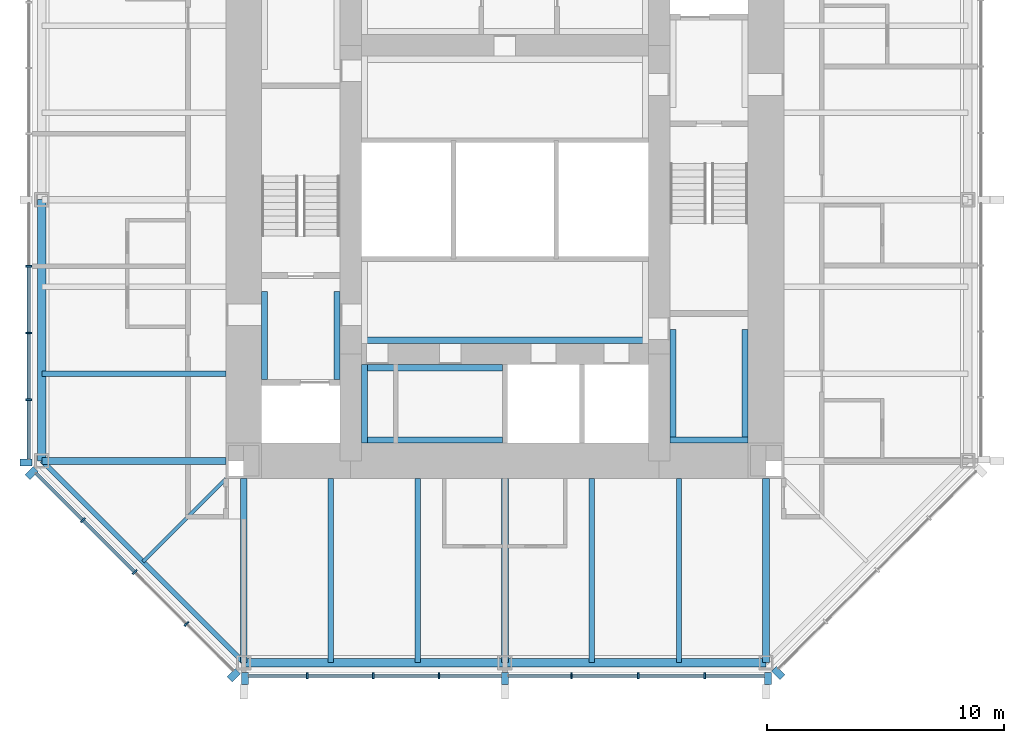
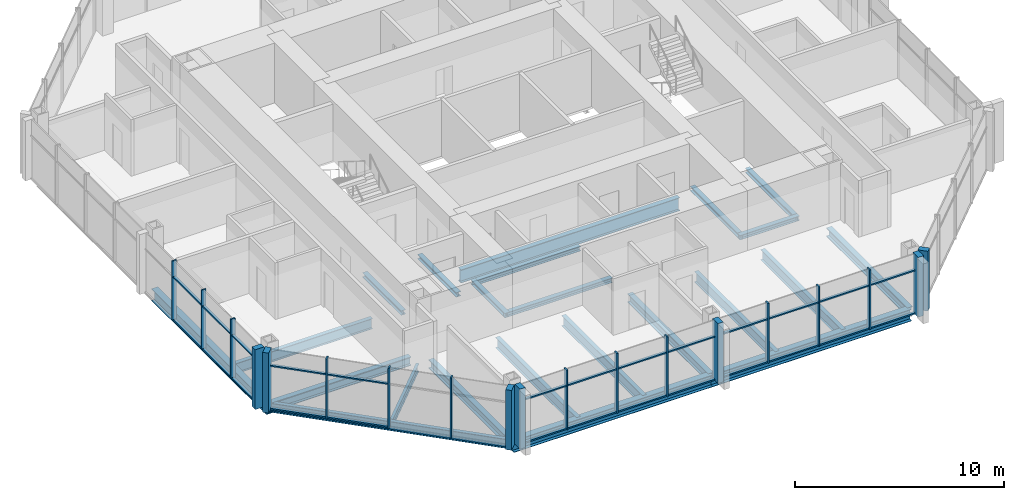
# One storey, part 2 of 11: 45 members, 23 beams, 4 elements without a shape of their own.
"""IFC4 building model written with IfcOpenShell, lengths in metres."""

from ifc_helpers import new_model, si_unit, direction, frame, origin, origin_2d, place, context, subcontext, project, spatial, rectangle, i_section, extrude, material, material_profile, profile_set, type_object, element, aggregate, save


model = new_model("IFC4")

# Units and contexts
model_context = context("Model", 3, precision=1e-05, world=origin(), true_north=direction((0.0, 1.0)))
body_context = subcontext(model_context, "Body", "Model", "MODEL_VIEW")
ifc_project = project(units=[si_unit("LENGTHUNIT", "METRE"), si_unit("AREAUNIT", "SQUARE_METRE"), si_unit("VOLUMEUNIT", "CUBIC_METRE"), si_unit("PLANEANGLEUNIT", "RADIAN"), si_unit("MASSUNIT", "GRAM", prefix="KILO")], contexts=[model_context])

# Site, building, storey
site_placement = place(None, origin())
site = spatial("IfcSite", under=ifc_project, at=site_placement, CompositionType="ELEMENT")
building_placement = place(site_placement, origin())
building = spatial("IfcBuilding", under=site, at=building_placement, Name="Trevanion Tower", CompositionType="ELEMENT")
storey_placement = place(building_placement, frame((0.0, 0.0, 232.699951171875)))
storey = spatial("IfcBuildingStorey", under=building, at=storey_placement, Name="L56", CompositionType="ELEMENT", Elevation=232.699951171875)

# Beams
ifc_material_1 = material(Name="Steel ASTM A992 Grade 50", Category="steel")
ifc_material_profile_1 = material_profile(ifc_material_1, i_section(OverallWidth=0.228271484375, OverallDepth=0.607177734375, WebThickness=0.01123046875, FlangeThickness=0.017333984375, at=origin_2d()), Name="W24X76")
ifc_profile_set_1 = profile_set([ifc_material_profile_1], Name="Steel ASTM A992 Grade 50")
beam_type_1 = type_object("IfcBeamType", Name="B11 W24X76", PredefinedType="BEAM", material=ifc_profile_set_1)
for number, where, z_axis, x_axis, name in (
    (1, (-11.75, -7.333251953125, -0.493408203125), (-1.0, 0.0, 0.0), (0.0, -1.0, 0.0), "B11 L56"),
    (2, (-7.333251953125, -11.75, -0.493408203125), (0.0, -1.0, 0.0), (1.0, 0.0, 0.0), "B11 L56"),
    (3, (-3.666748046875, -11.75, -0.493408203125), (0.0, -1.0, 0.0), (1.0, 0.0, 0.0), "B11 L56"),
    (4, (3.666748046875, -11.75, -0.493408203125), (0.0, -1.0, 0.0), (1.0, 0.0, 0.0), "B11 L56"),
    (5, (7.333251953125, -11.75, -0.493408203125), (0.0, -1.0, 0.0), (1.0, 0.0, 0.0), "B11 L56"),
):
    element("IfcBeam", number, at=place(storey_placement, frame(where, z_axis=z_axis, x_axis=x_axis)), inside=storey, type_object=beam_type_1, Name=name, PredefinedType="BEAM", context=body_context, shape_type="SweptSolid", body=[
        extrude(i_section(OverallWidth=0.228271484375, OverallDepth=0.607177734375, WebThickness=0.01123046875, FlangeThickness=0.017333984375, at=origin_2d()), origin(), (0.0, 0.0, 1.0), 7.75),
    ])
ifc_material_2 = material(Name="Steel ASTM A992 Grade 50", Category="steel")
ifc_material_profile_2 = material_profile(ifc_material_2, i_section(OverallWidth=0.15234375, OverallDepth=0.449462890625, WebThickness=0.007568359375, FlangeThickness=0.0107421875, at=origin_2d()), Name="W18X35")
ifc_profile_set_2 = profile_set([ifc_material_profile_2], Name="Steel ASTM A992 Grade 50")
beam_type_2 = type_object("IfcBeamType", Name="B12 W18X35", PredefinedType="BEAM", material=ifc_profile_set_2)
beam_1_placement = place(storey_placement, frame((-11.75, -11.75, -0.414794921875), z_axis=(-0.707106781187, -0.707106781187, 0.0), x_axis=(0.707106781187, -0.707106781187, 0.0)))
element("IfcBeam", 6, at=beam_1_placement, inside=storey, type_object=beam_type_2, Name="B12 L56", PredefinedType="BEAM", context=body_context, shape_type="SweptSolid", body=[
    extrude(i_section(OverallWidth=0.15234375, OverallDepth=0.449462890625, WebThickness=0.007568359375, FlangeThickness=0.0107421875, at=origin_2d()), origin(), (0.0, 0.0, 1.0), 4.94970703125),
])

# Curtain wall, members
ifc_material_3 = material(Name="Aluminium and glass", Category="aluminium")
curtain_wall_type = type_object("IfcCurtainWallType", Name="CW3 curtain wall", PredefinedType="USERDEFINED", material=ifc_material_3)
curtain_wall_1_placement = place(storey_placement, origin())
curtain_wall_1 = element("IfcCurtainWall", 7, at=curtain_wall_1_placement, inside=storey, type_object=curtain_wall_type, Name="CW3 L56 4", ObjectType="UNITISED CURTAIN WALL", PredefinedType="USERDEFINED")
ifc_material_4 = material(Name="Aluminium extrusion, anodised bronze", Category="aluminium")
ifc_material_profile_3 = material_profile(ifc_material_4, rectangle(XDim=0.074951171875, YDim=0.25, at=origin_2d()), Name="CW3 mullion")
ifc_profile_set_3 = profile_set([ifc_material_profile_3], Name="Aluminium extrusion, anodised bronze")
member_type_1 = type_object("IfcMemberType", Name="CW3 mullion", PredefinedType="MULLION", material=ifc_profile_set_3)
member_1_placement = place(storey_placement, frame((-20.050048828125, -2.806884765625, -0.18994140625), z_axis=(0.0, 0.0, 1.0), x_axis=(0.0, -1.0, 0.0)))
member_1 = element("IfcMember", 8, at=member_1_placement, type_object=member_type_1, Name="CW3 mullion 6", PredefinedType="MULLION", context=body_context, shape_type="SweptSolid", body=[
    extrude(rectangle(XDim=0.074951171875, YDim=0.25, at=origin_2d()), origin(), (0.0, 0.0, 1.0), 3.5),
])
member_2_placement = place(storey_placement, frame((-20.050048828125, -5.614013671875, -0.18994140625), z_axis=(0.0, 0.0, 1.0), x_axis=(0.0, -1.0, 0.0)))
member_2 = element("IfcMember", 9, at=member_2_placement, type_object=member_type_1, Name="CW3 mullion 7", PredefinedType="MULLION", context=body_context, shape_type="SweptSolid", body=[
    extrude(rectangle(XDim=0.074951171875, YDim=0.25, at=origin_2d()), origin(), (0.0, 0.0, 1.0), 3.5),
])
member_3_placement = place(storey_placement, frame((-20.050048828125, -8.4208984375, -0.18994140625), z_axis=(0.0, 0.0, 1.0), x_axis=(0.0, -1.0, 0.0)))
member_3 = element("IfcMember", 10, at=member_3_placement, type_object=member_type_1, Name="CW3 mullion 8", PredefinedType="MULLION", context=body_context, shape_type="SweptSolid", body=[
    extrude(rectangle(XDim=0.074951171875, YDim=0.25, at=origin_2d()), origin(), (0.0, 0.0, 1.0), 3.5),
])

curtain_wall_2_placement = place(storey_placement, origin())
curtain_wall_2 = element("IfcCurtainWall", 11, at=curtain_wall_2_placement, inside=storey, type_object=curtain_wall_type, Name="CW3 L56 5", ObjectType="UNITISED CURTAIN WALL", PredefinedType="USERDEFINED")
member_4_placement = place(storey_placement, frame((-17.775390625, -13.502197265625, -0.18994140625), z_axis=(0.0, 0.0, 1.0), x_axis=(0.707106781187, -0.707106781187, 0.0)))
member_4 = element("IfcMember", 12, at=member_4_placement, type_object=member_type_1, Name="CW3 mullion 2", PredefinedType="MULLION", context=body_context, shape_type="SweptSolid", body=[
    extrude(rectangle(XDim=0.074951171875, YDim=0.25, at=origin_2d()), origin(), (0.0, 0.0, 1.0), 3.5),
])
member_5_placement = place(storey_placement, frame((-15.593017578125, -15.684814453125, -0.18994140625), z_axis=(0.0, 0.0, 1.0), x_axis=(0.707106781187, -0.707106781187, 0.0)))
member_5 = element("IfcMember", 13, at=member_5_placement, type_object=member_type_1, Name="CW3 mullion 3", PredefinedType="MULLION", context=body_context, shape_type="SweptSolid", body=[
    extrude(rectangle(XDim=0.074951171875, YDim=0.25, at=origin_2d()), origin(), (0.0, 0.0, 1.0), 3.5),
])
member_6_placement = place(storey_placement, frame((-13.410400390625, -17.867431640625, -0.18994140625), z_axis=(0.0, 0.0, 1.0), x_axis=(0.707106781187, -0.707106781187, 0.0)))
member_6 = element("IfcMember", 14, at=member_6_placement, type_object=member_type_1, Name="CW3 mullion 4", PredefinedType="MULLION", context=body_context, shape_type="SweptSolid", body=[
    extrude(rectangle(XDim=0.074951171875, YDim=0.25, at=origin_2d()), origin(), (0.0, 0.0, 1.0), 3.5),
])

curtain_wall_3_placement = place(storey_placement, origin())
curtain_wall_3 = element("IfcCurtainWall", 15, at=curtain_wall_3_placement, inside=storey, type_object=curtain_wall_type, Name="CW3 L56 6", ObjectType="UNITISED CURTAIN WALL", PredefinedType="USERDEFINED")
member_7_placement = place(storey_placement, frame((-8.323486328125, -20.050048828125, -0.18994140625), z_axis=(0.0, 0.0, 1.0), x_axis=(1.0, 0.0, 0.0)))
member_7 = element("IfcMember", 16, at=member_7_placement, type_object=member_type_1, Name="CW3 mullion 2", PredefinedType="MULLION", context=body_context, shape_type="SweptSolid", body=[
    extrude(rectangle(XDim=0.074951171875, YDim=0.25, at=origin_2d()), origin(), (0.0, 0.0, 1.0), 3.5),
])
member_8_placement = place(storey_placement, frame((-5.548828125, -20.050048828125, -0.18994140625), z_axis=(0.0, 0.0, 1.0), x_axis=(1.0, 0.0, 0.0)))
member_8 = element("IfcMember", 17, at=member_8_placement, type_object=member_type_1, Name="CW3 mullion 3", PredefinedType="MULLION", context=body_context, shape_type="SweptSolid", body=[
    extrude(rectangle(XDim=0.074951171875, YDim=0.25, at=origin_2d()), origin(), (0.0, 0.0, 1.0), 3.5),
])
member_9_placement = place(storey_placement, frame((-2.7744140625, -20.050048828125, -0.18994140625), z_axis=(0.0, 0.0, 1.0), x_axis=(1.0, 0.0, 0.0)))
member_9 = element("IfcMember", 18, at=member_9_placement, type_object=member_type_1, Name="CW3 mullion 4", PredefinedType="MULLION", context=body_context, shape_type="SweptSolid", body=[
    extrude(rectangle(XDim=0.074951171875, YDim=0.25, at=origin_2d()), origin(), (0.0, 0.0, 1.0), 3.5),
])
member_10_placement = place(storey_placement, frame((2.806884765625, -20.050048828125, -0.18994140625), z_axis=(0.0, 0.0, 1.0), x_axis=(1.0, 0.0, 0.0)))
member_10 = element("IfcMember", 19, at=member_10_placement, type_object=member_type_1, Name="CW3 mullion 6", PredefinedType="MULLION", context=body_context, shape_type="SweptSolid", body=[
    extrude(rectangle(XDim=0.074951171875, YDim=0.25, at=origin_2d()), origin(), (0.0, 0.0, 1.0), 3.5),
])
member_11_placement = place(storey_placement, frame((5.614013671875, -20.050048828125, -0.18994140625), z_axis=(0.0, 0.0, 1.0), x_axis=(1.0, 0.0, 0.0)))
member_11 = element("IfcMember", 20, at=member_11_placement, type_object=member_type_1, Name="CW3 mullion 7", PredefinedType="MULLION", context=body_context, shape_type="SweptSolid", body=[
    extrude(rectangle(XDim=0.074951171875, YDim=0.25, at=origin_2d()), origin(), (0.0, 0.0, 1.0), 3.5),
])
member_12_placement = place(storey_placement, frame((8.4208984375, -20.050048828125, -0.18994140625), z_axis=(0.0, 0.0, 1.0), x_axis=(1.0, 0.0, 0.0)))
member_12 = element("IfcMember", 21, at=member_12_placement, type_object=member_type_1, Name="CW3 mullion 8", PredefinedType="MULLION", context=body_context, shape_type="SweptSolid", body=[
    extrude(rectangle(XDim=0.074951171875, YDim=0.25, at=origin_2d()), origin(), (0.0, 0.0, 1.0), 3.5),
])

# Member
ifc_material_5 = material(Name="Aluminium extrusion, anodised bronze", Category="aluminium")
ifc_material_profile_4 = material_profile(ifc_material_5, rectangle(XDim=0.300048828125, YDim=0.5, at=origin_2d()), Name="CW3 pier mullion")
ifc_profile_set_4 = profile_set([ifc_material_profile_4], Name="Aluminium extrusion, anodised bronze")
member_type_2 = type_object("IfcMemberType", Name="CW3 pier mullion", PredefinedType="MULLION", material=ifc_profile_set_4)
member_13_placement = place(storey_placement, frame((-20.175048828125, -11.077880859375, -0.18994140625), z_axis=(0.0, 0.0, 1.0), x_axis=(0.0, -1.0, 0.0)))
member_13 = element("IfcMember", 22, at=member_13_placement, type_object=member_type_2, Name="CW3 pier mullion 9", PredefinedType="MULLION", context=body_context, shape_type="SweptSolid", body=[
    extrude(rectangle(XDim=0.300048828125, YDim=0.5, at=origin_2d()), origin(), (0.0, 0.0, 1.0), 3.5),
])

member_14_placement = place(storey_placement, frame((-19.9404296875, -11.51416015625, -0.18994140625), z_axis=(0.0, 0.0, 1.0), x_axis=(0.707106781187, -0.707106781187, 0.0)))
member_14 = element("IfcMember", 23, at=member_14_placement, type_object=member_type_2, Name="CW3 pier mullion 1", PredefinedType="MULLION", context=body_context, shape_type="SweptSolid", body=[
    extrude(rectangle(XDim=0.300048828125, YDim=0.5, at=origin_2d()), origin(), (0.0, 0.0, 1.0), 3.5),
])

member_15_placement = place(storey_placement, frame((-11.42236328125, -20.0322265625, -0.18994140625), z_axis=(0.0, 0.0, 1.0), x_axis=(0.707106781187, -0.707106781187, 0.0)))
member_15 = element("IfcMember", 24, at=member_15_placement, type_object=member_type_2, Name="CW3 pier mullion 5", PredefinedType="MULLION", context=body_context, shape_type="SweptSolid", body=[
    extrude(rectangle(XDim=0.300048828125, YDim=0.5, at=origin_2d()), origin(), (0.0, 0.0, 1.0), 3.5),
])

member_16_placement = place(storey_placement, frame((-10.94775390625, -20.175048828125, -0.18994140625), z_axis=(0.0, 0.0, 1.0), x_axis=(1.0, 0.0, 0.0)))
member_16 = element("IfcMember", 25, at=member_16_placement, type_object=member_type_2, Name="CW3 pier mullion 1", PredefinedType="MULLION", context=body_context, shape_type="SweptSolid", body=[
    extrude(rectangle(XDim=0.300048828125, YDim=0.5, at=origin_2d()), origin(), (0.0, 0.0, 1.0), 3.5),
])

member_17_placement = place(storey_placement, frame((0.0, -20.175048828125, -0.18994140625), z_axis=(0.0, 0.0, 1.0), x_axis=(1.0, 0.0, 0.0)))
member_17 = element("IfcMember", 26, at=member_17_placement, type_object=member_type_2, Name="CW3 pier mullion 5", PredefinedType="MULLION", context=body_context, shape_type="SweptSolid", body=[
    extrude(rectangle(XDim=0.300048828125, YDim=0.5, at=origin_2d()), origin(), (0.0, 0.0, 1.0), 3.5),
])

member_18_placement = place(storey_placement, frame((11.077880859375, -20.175048828125, -0.18994140625), z_axis=(0.0, 0.0, 1.0), x_axis=(1.0, 0.0, 0.0)))
member_18 = element("IfcMember", 27, at=member_18_placement, type_object=member_type_2, Name="CW3 pier mullion 9", PredefinedType="MULLION", context=body_context, shape_type="SweptSolid", body=[
    extrude(rectangle(XDim=0.300048828125, YDim=0.5, at=origin_2d()), origin(), (0.0, 0.0, 1.0), 3.5),
])

# Curtain wall, member
curtain_wall_4_placement = place(storey_placement, origin())
curtain_wall_4 = element("IfcCurtainWall", 28, at=curtain_wall_4_placement, inside=storey, type_object=curtain_wall_type, Name="CW3 L56 7", ObjectType="UNITISED CURTAIN WALL", PredefinedType="USERDEFINED")
member_19_placement = place(storey_placement, frame((11.51416015625, -19.9404296875, -0.18994140625), z_axis=(0.0, 0.0, 1.0), x_axis=(0.707106781187, 0.707106781187, 0.0)))
member_19 = element("IfcMember", 29, at=member_19_placement, type_object=member_type_2, Name="CW3 pier mullion 1", PredefinedType="MULLION", context=body_context, shape_type="SweptSolid", body=[
    extrude(rectangle(XDim=0.300048828125, YDim=0.5, at=origin_2d()), origin(), (0.0, 0.0, 1.0), 3.5),
])
aggregate(curtain_wall_4, [member_19])

# Member
ifc_material_6 = material(Name="Aluminium extrusion, anodised bronze", Category="aluminium")
ifc_material_profile_5 = material_profile(ifc_material_6, rectangle(XDim=0.14990234375, YDim=0.074951171875, at=origin_2d()), Name="CW3 transom")
ifc_profile_set_5 = profile_set([ifc_material_profile_5], Name="Aluminium extrusion, anodised bronze")
member_type_3 = type_object("IfcMemberType", Name="CW3 transom", PredefinedType="USERDEFINED", material=ifc_profile_set_5)
member_20_placement = place(storey_placement, frame((-20.050048828125, -2.844482421875, -0.15234375), z_axis=(0.0, -1.0, 0.0), x_axis=(1.0, 0.0, 0.0)))
member_20 = element("IfcMember", 30, at=member_20_placement, type_object=member_type_3, Name="CW3 transom 6.1", ObjectType="TRANSOM", PredefinedType="USERDEFINED", context=body_context, shape_type="SweptSolid", body=[
    extrude(rectangle(XDim=0.14990234375, YDim=0.074951171875, at=origin_2d()), origin(), (0.0, 0.0, 1.0), 2.73193359375),
])

member_21_placement = place(storey_placement, frame((-20.050048828125, -2.844482421875, 2.360107421875), z_axis=(0.0, -1.0, 0.0), x_axis=(1.0, 0.0, 0.0)))
member_21 = element("IfcMember", 31, at=member_21_placement, type_object=member_type_3, Name="CW3 transom 6.2", ObjectType="TRANSOM", PredefinedType="USERDEFINED", context=body_context, shape_type="SweptSolid", body=[
    extrude(rectangle(XDim=0.14990234375, YDim=0.074951171875, at=origin_2d()), origin(), (0.0, 0.0, 1.0), 2.73193359375),
])

member_22_placement = place(storey_placement, frame((-20.050048828125, -5.6513671875, -0.15234375), z_axis=(0.0, -1.0, 0.0), x_axis=(1.0, 0.0, 0.0)))
member_22 = element("IfcMember", 32, at=member_22_placement, type_object=member_type_3, Name="CW3 transom 7.1", ObjectType="TRANSOM", PredefinedType="USERDEFINED", context=body_context, shape_type="SweptSolid", body=[
    extrude(rectangle(XDim=0.14990234375, YDim=0.074951171875, at=origin_2d()), origin(), (0.0, 0.0, 1.0), 2.73193359375),
])

member_23_placement = place(storey_placement, frame((-20.050048828125, -5.6513671875, 2.360107421875), z_axis=(0.0, -1.0, 0.0), x_axis=(1.0, 0.0, 0.0)))
member_23 = element("IfcMember", 33, at=member_23_placement, type_object=member_type_3, Name="CW3 transom 7.2", ObjectType="TRANSOM", PredefinedType="USERDEFINED", context=body_context, shape_type="SweptSolid", body=[
    extrude(rectangle(XDim=0.14990234375, YDim=0.074951171875, at=origin_2d()), origin(), (0.0, 0.0, 1.0), 2.73193359375),
])

member_24_placement = place(storey_placement, frame((-20.050048828125, -8.45849609375, -0.15234375), z_axis=(0.0, -1.0, 0.0), x_axis=(1.0, 0.0, 0.0)))
member_24 = element("IfcMember", 34, at=member_24_placement, type_object=member_type_3, Name="CW3 transom 8.1", ObjectType="TRANSOM", PredefinedType="USERDEFINED", context=body_context, shape_type="SweptSolid", body=[
    extrude(rectangle(XDim=0.14990234375, YDim=0.074951171875, at=origin_2d()), origin(), (0.0, 0.0, 1.0), 2.46923828125),
])

member_25_placement = place(storey_placement, frame((-20.050048828125, -8.45849609375, 2.360107421875), z_axis=(0.0, -1.0, 0.0), x_axis=(1.0, 0.0, 0.0)))
member_25 = element("IfcMember", 35, at=member_25_placement, type_object=member_type_3, Name="CW3 transom 8.2", ObjectType="TRANSOM", PredefinedType="USERDEFINED", context=body_context, shape_type="SweptSolid", body=[
    extrude(rectangle(XDim=0.14990234375, YDim=0.074951171875, at=origin_2d()), origin(), (0.0, 0.0, 1.0), 2.46923828125),
])

aggregate(curtain_wall_1, [member_1, member_2, member_3, member_13, member_20, member_21, member_22, member_23, member_24, member_25])

member_26_placement = place(storey_placement, frame((-19.745849609375, -11.531982421875, -0.15234375), z_axis=(0.707106781187, -0.707106781187, 0.0), x_axis=(0.707106781187, 0.707106781187, 0.0)))
member_26 = element("IfcMember", 36, at=member_26_placement, type_object=member_type_3, Name="CW3 transom 1.1", ObjectType="TRANSOM", PredefinedType="USERDEFINED", context=body_context, shape_type="SweptSolid", body=[
    extrude(rectangle(XDim=0.14990234375, YDim=0.074951171875, at=origin_2d()), origin(), (0.0, 0.0, 1.0), 2.7490234375),
])

member_27_placement = place(storey_placement, frame((-19.745849609375, -11.531982421875, 2.360107421875), z_axis=(0.707106781187, -0.707106781187, 0.0), x_axis=(0.707106781187, 0.707106781187, 0.0)))
member_27 = element("IfcMember", 37, at=member_27_placement, type_object=member_type_3, Name="CW3 transom 1.2", ObjectType="TRANSOM", PredefinedType="USERDEFINED", context=body_context, shape_type="SweptSolid", body=[
    extrude(rectangle(XDim=0.14990234375, YDim=0.074951171875, at=origin_2d()), origin(), (0.0, 0.0, 1.0), 2.7490234375),
])

member_28_placement = place(storey_placement, frame((-17.7490234375, -13.52880859375, -0.15234375), z_axis=(0.707106781187, -0.707106781187, 0.0), x_axis=(0.707106781187, 0.707106781187, 0.0)))
member_28 = element("IfcMember", 38, at=member_28_placement, type_object=member_type_3, Name="CW3 transom 2.1", ObjectType="TRANSOM", PredefinedType="USERDEFINED", context=body_context, shape_type="SweptSolid", body=[
    extrude(rectangle(XDim=0.14990234375, YDim=0.074951171875, at=origin_2d()), origin(), (0.0, 0.0, 1.0), 3.01171875),
])

member_29_placement = place(storey_placement, frame((-17.7490234375, -13.52880859375, 2.360107421875), z_axis=(0.707106781187, -0.707106781187, 0.0), x_axis=(0.707106781187, 0.707106781187, 0.0)))
member_29 = element("IfcMember", 39, at=member_29_placement, type_object=member_type_3, Name="CW3 transom 2.2", ObjectType="TRANSOM", PredefinedType="USERDEFINED", context=body_context, shape_type="SweptSolid", body=[
    extrude(rectangle(XDim=0.14990234375, YDim=0.074951171875, at=origin_2d()), origin(), (0.0, 0.0, 1.0), 3.01171875),
])

aggregate(curtain_wall_2, [member_14, member_4, member_5, member_6, member_15, member_26, member_27, member_28, member_29])

member_30_placement = place(storey_placement, frame((-10.7978515625, -20.050048828125, -0.15234375), z_axis=(1.0, 0.0, 0.0), x_axis=(0.0, 1.0, 0.0)))
member_30 = element("IfcMember", 40, at=member_30_placement, type_object=member_type_3, Name="CW3 transom 1.1", ObjectType="TRANSOM", PredefinedType="USERDEFINED", context=body_context, shape_type="SweptSolid", body=[
    extrude(rectangle(XDim=0.14990234375, YDim=0.074951171875, at=origin_2d()), origin(), (0.0, 0.0, 1.0), 2.43701171875),
])

member_31_placement = place(storey_placement, frame((-10.7978515625, -20.050048828125, 2.360107421875), z_axis=(1.0, 0.0, 0.0), x_axis=(0.0, 1.0, 0.0)))
member_31 = element("IfcMember", 41, at=member_31_placement, type_object=member_type_3, Name="CW3 transom 1.2", ObjectType="TRANSOM", PredefinedType="USERDEFINED", context=body_context, shape_type="SweptSolid", body=[
    extrude(rectangle(XDim=0.14990234375, YDim=0.074951171875, at=origin_2d()), origin(), (0.0, 0.0, 1.0), 2.43701171875),
])

member_32_placement = place(storey_placement, frame((-8.285888671875, -20.050048828125, -0.15234375), z_axis=(1.0, 0.0, 0.0), x_axis=(0.0, 1.0, 0.0)))
member_32 = element("IfcMember", 42, at=member_32_placement, type_object=member_type_3, Name="CW3 transom 2.1", ObjectType="TRANSOM", PredefinedType="USERDEFINED", context=body_context, shape_type="SweptSolid", body=[
    extrude(rectangle(XDim=0.14990234375, YDim=0.074951171875, at=origin_2d()), origin(), (0.0, 0.0, 1.0), 2.699462890625),
])

member_33_placement = place(storey_placement, frame((-8.285888671875, -20.050048828125, 2.360107421875), z_axis=(1.0, 0.0, 0.0), x_axis=(0.0, 1.0, 0.0)))
member_33 = element("IfcMember", 43, at=member_33_placement, type_object=member_type_3, Name="CW3 transom 2.2", ObjectType="TRANSOM", PredefinedType="USERDEFINED", context=body_context, shape_type="SweptSolid", body=[
    extrude(rectangle(XDim=0.14990234375, YDim=0.074951171875, at=origin_2d()), origin(), (0.0, 0.0, 1.0), 2.699462890625),
])

member_34_placement = place(storey_placement, frame((-5.511474609375, -20.050048828125, -0.15234375), z_axis=(1.0, 0.0, 0.0), x_axis=(0.0, 1.0, 0.0)))
member_34 = element("IfcMember", 44, at=member_34_placement, type_object=member_type_3, Name="CW3 transom 3.1", ObjectType="TRANSOM", PredefinedType="USERDEFINED", context=body_context, shape_type="SweptSolid", body=[
    extrude(rectangle(XDim=0.14990234375, YDim=0.074951171875, at=origin_2d()), origin(), (0.0, 0.0, 1.0), 2.699462890625),
])

member_35_placement = place(storey_placement, frame((-5.511474609375, -20.050048828125, 2.360107421875), z_axis=(1.0, 0.0, 0.0), x_axis=(0.0, 1.0, 0.0)))
member_35 = element("IfcMember", 45, at=member_35_placement, type_object=member_type_3, Name="CW3 transom 3.2", ObjectType="TRANSOM", PredefinedType="USERDEFINED", context=body_context, shape_type="SweptSolid", body=[
    extrude(rectangle(XDim=0.14990234375, YDim=0.074951171875, at=origin_2d()), origin(), (0.0, 0.0, 1.0), 2.699462890625),
])

member_36_placement = place(storey_placement, frame((-2.737060546875, -20.050048828125, -0.15234375), z_axis=(1.0, 0.0, 0.0), x_axis=(0.0, 1.0, 0.0)))
member_36 = element("IfcMember", 46, at=member_36_placement, type_object=member_type_3, Name="CW3 transom 4.1", ObjectType="TRANSOM", PredefinedType="USERDEFINED", context=body_context, shape_type="SweptSolid", body=[
    extrude(rectangle(XDim=0.14990234375, YDim=0.074951171875, at=origin_2d()), origin(), (0.0, 0.0, 1.0), 2.587158203125),
])

member_37_placement = place(storey_placement, frame((-2.737060546875, -20.050048828125, 2.360107421875), z_axis=(1.0, 0.0, 0.0), x_axis=(0.0, 1.0, 0.0)))
member_37 = element("IfcMember", 47, at=member_37_placement, type_object=member_type_3, Name="CW3 transom 4.2", ObjectType="TRANSOM", PredefinedType="USERDEFINED", context=body_context, shape_type="SweptSolid", body=[
    extrude(rectangle(XDim=0.14990234375, YDim=0.074951171875, at=origin_2d()), origin(), (0.0, 0.0, 1.0), 2.587158203125),
])

member_38_placement = place(storey_placement, frame((0.14990234375, -20.050048828125, -0.15234375), z_axis=(1.0, 0.0, 0.0), x_axis=(0.0, 1.0, 0.0)))
member_38 = element("IfcMember", 48, at=member_38_placement, type_object=member_type_3, Name="CW3 transom 5.1", ObjectType="TRANSOM", PredefinedType="USERDEFINED", context=body_context, shape_type="SweptSolid", body=[
    extrude(rectangle(XDim=0.14990234375, YDim=0.074951171875, at=origin_2d()), origin(), (0.0, 0.0, 1.0), 2.619384765625),
])

member_39_placement = place(storey_placement, frame((0.14990234375, -20.050048828125, 2.360107421875), z_axis=(1.0, 0.0, 0.0), x_axis=(0.0, 1.0, 0.0)))
member_39 = element("IfcMember", 49, at=member_39_placement, type_object=member_type_3, Name="CW3 transom 5.2", ObjectType="TRANSOM", PredefinedType="USERDEFINED", context=body_context, shape_type="SweptSolid", body=[
    extrude(rectangle(XDim=0.14990234375, YDim=0.074951171875, at=origin_2d()), origin(), (0.0, 0.0, 1.0), 2.619384765625),
])

member_40_placement = place(storey_placement, frame((2.844482421875, -20.050048828125, -0.15234375), z_axis=(1.0, 0.0, 0.0), x_axis=(0.0, 1.0, 0.0)))
member_40 = element("IfcMember", 50, at=member_40_placement, type_object=member_type_3, Name="CW3 transom 6.1", ObjectType="TRANSOM", PredefinedType="USERDEFINED", context=body_context, shape_type="SweptSolid", body=[
    extrude(rectangle(XDim=0.14990234375, YDim=0.074951171875, at=origin_2d()), origin(), (0.0, 0.0, 1.0), 2.73193359375),
])

member_41_placement = place(storey_placement, frame((2.844482421875, -20.050048828125, 2.360107421875), z_axis=(1.0, 0.0, 0.0), x_axis=(0.0, 1.0, 0.0)))
member_41 = element("IfcMember", 51, at=member_41_placement, type_object=member_type_3, Name="CW3 transom 6.2", ObjectType="TRANSOM", PredefinedType="USERDEFINED", context=body_context, shape_type="SweptSolid", body=[
    extrude(rectangle(XDim=0.14990234375, YDim=0.074951171875, at=origin_2d()), origin(), (0.0, 0.0, 1.0), 2.73193359375),
])

member_42_placement = place(storey_placement, frame((5.6513671875, -20.050048828125, -0.15234375), z_axis=(1.0, 0.0, 0.0), x_axis=(0.0, 1.0, 0.0)))
member_42 = element("IfcMember", 52, at=member_42_placement, type_object=member_type_3, Name="CW3 transom 7.1", ObjectType="TRANSOM", PredefinedType="USERDEFINED", context=body_context, shape_type="SweptSolid", body=[
    extrude(rectangle(XDim=0.14990234375, YDim=0.074951171875, at=origin_2d()), origin(), (0.0, 0.0, 1.0), 2.73193359375),
])

member_43_placement = place(storey_placement, frame((5.6513671875, -20.050048828125, 2.360107421875), z_axis=(1.0, 0.0, 0.0), x_axis=(0.0, 1.0, 0.0)))
member_43 = element("IfcMember", 53, at=member_43_placement, type_object=member_type_3, Name="CW3 transom 7.2", ObjectType="TRANSOM", PredefinedType="USERDEFINED", context=body_context, shape_type="SweptSolid", body=[
    extrude(rectangle(XDim=0.14990234375, YDim=0.074951171875, at=origin_2d()), origin(), (0.0, 0.0, 1.0), 2.73193359375),
])

member_44_placement = place(storey_placement, frame((8.45849609375, -20.050048828125, -0.15234375), z_axis=(1.0, 0.0, 0.0), x_axis=(0.0, 1.0, 0.0)))
member_44 = element("IfcMember", 54, at=member_44_placement, type_object=member_type_3, Name="CW3 transom 8.1", ObjectType="TRANSOM", PredefinedType="USERDEFINED", context=body_context, shape_type="SweptSolid", body=[
    extrude(rectangle(XDim=0.14990234375, YDim=0.074951171875, at=origin_2d()), origin(), (0.0, 0.0, 1.0), 2.46923828125),
])

member_45_placement = place(storey_placement, frame((8.45849609375, -20.050048828125, 2.360107421875), z_axis=(1.0, 0.0, 0.0), x_axis=(0.0, 1.0, 0.0)))
member_45 = element("IfcMember", 55, at=member_45_placement, type_object=member_type_3, Name="CW3 transom 8.2", ObjectType="TRANSOM", PredefinedType="USERDEFINED", context=body_context, shape_type="SweptSolid", body=[
    extrude(rectangle(XDim=0.14990234375, YDim=0.074951171875, at=origin_2d()), origin(), (0.0, 0.0, 1.0), 2.46923828125),
])

aggregate(curtain_wall_3, [member_16, member_7, member_8, member_9, member_17, member_10, member_11, member_12, member_18, member_30, member_31, member_32, member_33, member_34, member_35, member_36, member_37, member_38, member_39, member_40, member_41, member_42, member_43, member_44, member_45])

# Beams
ifc_material_7 = material(Name="Steel ASTM A992 Grade 50", Category="steel")
ifc_material_profile_6 = material_profile(ifc_material_7, i_section(OverallWidth=0.28955078125, OverallDepth=0.508056640625, WebThickness=0.022705078125, FlangeThickness=0.040283203125, at=origin_2d()), Name="W18X175")
ifc_profile_set_6 = profile_set([ifc_material_profile_6], Name="Steel ASTM A992 Grade 50")
beam_type_3 = type_object("IfcBeamType", Name="G6 W18X175", PredefinedType="BEAM", material=ifc_profile_set_6)
for number, where, z_axis, x_axis, name in (
    (56, (-11.75, -11.0, -0.44384765625), (-1.0, 0.0, 0.0), (0.0, -1.0, 0.0), "G6 L56"),
    (57, (-11.0, -11.75, -0.44384765625), (0.0, -1.0, 0.0), (1.0, 0.0, 0.0), "G6 L56"),
    (58, (0.0, -11.75, -0.44384765625), (0.0, -1.0, 0.0), (1.0, 0.0, 0.0), "G6 L56"),
    (59, (11.0, -11.75, -0.44384765625), (0.0, -1.0, 0.0), (1.0, 0.0, 0.0), "G6 L56"),
):
    element("IfcBeam", number, at=place(storey_placement, frame(where, z_axis=z_axis, x_axis=x_axis)), inside=storey, type_object=beam_type_3, Name=name, PredefinedType="BEAM", context=body_context, shape_type="SweptSolid", body=[
        extrude(i_section(OverallWidth=0.28955078125, OverallDepth=0.508056640625, WebThickness=0.022705078125, FlangeThickness=0.040283203125, at=origin_2d()), origin(), (0.0, 0.0, 1.0), 7.75),
    ])
ifc_material_8 = material(Name="Steel ASTM A992 Grade 50", Category="steel")
ifc_material_profile_7 = material_profile(ifc_material_8, i_section(OverallWidth=0.256591796875, OverallDepth=0.26416015625, WebThickness=0.011962890625, FlangeThickness=0.01953125, at=origin_2d()), Name="W10X68")
ifc_profile_set_7 = profile_set([ifc_material_profile_7], Name="Steel ASTM A992 Grade 50")
beam_type_4 = type_object("IfcBeamType", Name="LB1 W10X68", PredefinedType="BEAM", material=ifc_profile_set_7)
for number, where, z_axis, x_axis, name in (
    (60, (-10.12158203125, -7.574951171875, -0.33203125), (0.0, 1.0, 0.0), (-1.0, 0.0, 0.0), "LB1 L56"),
    (61, (-7.078369140625, -7.574951171875, -0.33203125), (0.0, 1.0, 0.0), (-1.0, 0.0, 0.0), "LB1 L56"),
):
    element("IfcBeam", number, at=place(storey_placement, frame(where, z_axis=z_axis, x_axis=x_axis)), inside=storey, type_object=beam_type_4, Name=name, PredefinedType="BEAM", context=body_context, shape_type="SweptSolid", body=[
        extrude(i_section(OverallWidth=0.256591796875, OverallDepth=0.26416015625, WebThickness=0.011962890625, FlangeThickness=0.01953125, at=origin_2d()), origin(), (0.0, 0.0, 1.0), 3.699951171875),
    ])
for number, where, z_axis, x_axis, name in (
    (62, (7.078369140625, -10.25, -0.33203125), (0.0, 1.0, 0.0), (-1.0, 0.0, 0.0), "LB1 L56"),
    (63, (10.12158203125, -10.25, -0.33203125), (0.0, 1.0, 0.0), (-1.0, 0.0, 0.0), "LB1 L56"),
):
    element("IfcBeam", number, at=place(storey_placement, frame(where, z_axis=z_axis, x_axis=x_axis)), inside=storey, type_object=beam_type_4, Name=name, PredefinedType="BEAM", context=body_context, shape_type="SweptSolid", body=[
        extrude(i_section(OverallWidth=0.256591796875, OverallDepth=0.26416015625, WebThickness=0.011962890625, FlangeThickness=0.01953125, at=origin_2d()), origin(), (0.0, 0.0, 1.0), 4.77490234375),
    ])
for number, where, z_axis, x_axis, name in (
    (64, (6.949951171875, -10.12158203125, -0.33203125), (1.0, 0.0, 0.0), (0.0, 1.0, 0.0), "LB1 L56"),
    (65, (-5.921630859375, -10.25, -0.33203125), (0.0, 1.0, 0.0), (-1.0, 0.0, 0.0), "LB1 L56"),
):
    element("IfcBeam", number, at=place(storey_placement, frame(where, z_axis=z_axis, x_axis=x_axis)), inside=storey, type_object=beam_type_4, Name=name, PredefinedType="BEAM", context=body_context, shape_type="SweptSolid", body=[
        extrude(i_section(OverallWidth=0.256591796875, OverallDepth=0.26416015625, WebThickness=0.011962890625, FlangeThickness=0.01953125, at=origin_2d()), origin(), (0.0, 0.0, 1.0), 3.300048828125),
    ])
for number, where, z_axis, x_axis, name in (
    (66, (-6.050048828125, -10.12158203125, -0.33203125), (1.0, 0.0, 0.0), (0.0, 1.0, 0.0), "LB1 L56"),
    (67, (-6.050048828125, -7.078369140625, -0.33203125), (1.0, 0.0, 0.0), (0.0, 1.0, 0.0), "LB1 L56"),
):
    element("IfcBeam", number, at=place(storey_placement, frame(where, z_axis=z_axis, x_axis=x_axis)), inside=storey, type_object=beam_type_4, Name=name, PredefinedType="BEAM", context=body_context, shape_type="SweptSolid", body=[
        extrude(i_section(OverallWidth=0.256591796875, OverallDepth=0.26416015625, WebThickness=0.011962890625, FlangeThickness=0.01953125, at=origin_2d()), origin(), (0.0, 0.0, 1.0), 5.949951171875),
    ])
ifc_material_9 = material(Name="Steel ASTM A992 Grade 50", Category="steel")
ifc_material_profile_8 = material_profile(ifc_material_9, i_section(OverallWidth=0.2666015625, OverallDepth=0.76953125, WebThickness=0.015625, FlangeThickness=0.025390625, at=origin_2d()), Name="W30X132")
ifc_profile_set_8 = profile_set([ifc_material_profile_8], Name="Steel ASTM A992 Grade 50")
beam_type_5 = type_object("IfcBeamType", Name="LB3 W30X132", PredefinedType="BEAM", material=ifc_profile_set_8)
beam_2_placement = place(storey_placement, frame((-6.050048828125, -5.91650390625, -0.584716796875), z_axis=(1.0, 0.0, 0.0), x_axis=(0.0, 1.0, 0.0)))
element("IfcBeam", 68, at=beam_2_placement, inside=storey, type_object=beam_type_5, Name="LB3 L56", PredefinedType="BEAM", context=body_context, shape_type="SweptSolid", body=[
    extrude(i_section(OverallWidth=0.2666015625, OverallDepth=0.76953125, WebThickness=0.015625, FlangeThickness=0.025390625, at=origin_2d()), origin(), (0.0, 0.0, 1.0), 12.10009765625),
])
ifc_material_10 = material(Name="Steel ASTM A992 Grade 50", Category="steel")
ifc_material_profile_9 = material_profile(ifc_material_10, i_section(OverallWidth=0.355712890625, OverallDepth=0.696044921875, WebThickness=0.015380859375, FlangeThickness=0.024658203125, at=origin_2d()), Name="W27X146")
ifc_profile_set_9 = profile_set([ifc_material_profile_9], Name="Steel ASTM A992 Grade 50")
beam_type_6 = type_object("IfcBeamType", Name="SB8 W27X146", PredefinedType="SPANDREL", material=ifc_profile_set_9)
for number, where, z_axis, x_axis, name in (
    (69, (-19.5, 0.0, -0.537841796875), (0.0, -1.0, 0.0), (1.0, 0.0, 0.0), "SB8 L56"),
    (70, (-11.0, -19.5, -0.537841796875), (1.0, 0.0, 0.0), (0.0, 1.0, 0.0), "SB8 L56"),
    (71, (0.0, -19.5, -0.537841796875), (1.0, 0.0, 0.0), (0.0, 1.0, 0.0), "SB8 L56"),
):
    element("IfcBeam", number, at=place(storey_placement, frame(where, z_axis=z_axis, x_axis=x_axis)), inside=storey, type_object=beam_type_6, Name=name, PredefinedType="SPANDREL", context=body_context, shape_type="SweptSolid", body=[
        extrude(i_section(OverallWidth=0.355712890625, OverallDepth=0.696044921875, WebThickness=0.015380859375, FlangeThickness=0.024658203125, at=origin_2d()), origin(), (0.0, 0.0, 1.0), 11.0),
    ])
ifc_material_11 = material(Name="Steel ASTM A992 Grade 50", Category="steel")
ifc_material_profile_10 = material_profile(ifc_material_11, i_section(OverallWidth=0.209228515625, OverallDepth=0.533447265625, WebThickness=0.01025390625, FlangeThickness=0.015625, at=origin_2d()), Name="W21X62")
ifc_profile_set_10 = profile_set([ifc_material_profile_10], Name="Steel ASTM A992 Grade 50")
beam_type_7 = type_object("IfcBeamType", Name="SB9 W21X62", PredefinedType="SPANDREL", material=ifc_profile_set_10)
beam_3_placement = place(storey_placement, frame((-19.5, -11.0, -0.45654296875), z_axis=(0.707106781187, -0.707106781187, 0.0), x_axis=(0.707106781187, 0.707106781187, 0.0)))
element("IfcBeam", 72, at=beam_3_placement, inside=storey, type_object=beam_type_7, Name="SB9 L56", PredefinedType="SPANDREL", context=body_context, shape_type="SweptSolid", body=[
    extrude(i_section(OverallWidth=0.209228515625, OverallDepth=0.533447265625, WebThickness=0.01025390625, FlangeThickness=0.015625, at=origin_2d()), origin(), (0.0, 0.0, 1.0), 12.020751953125),
])

save(model, "model.ifc")
